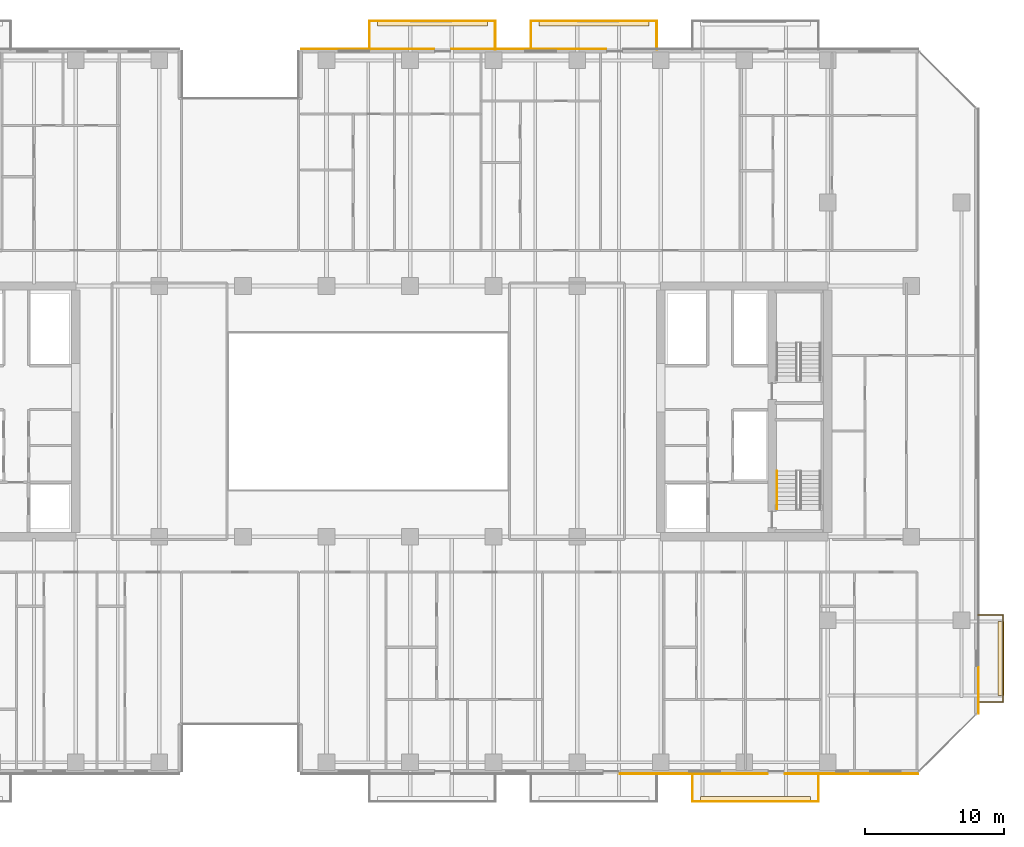
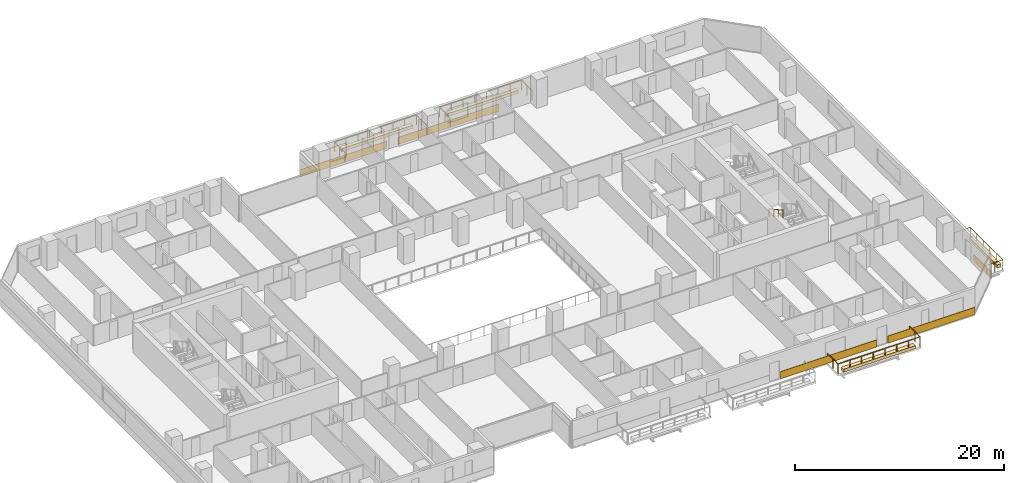
# One storey, part 30 of 33: 9 coverings, 5 railings.
"""IFC4 building model written with IfcOpenShell, lengths in metres."""

from ifc_helpers import new_model, si_unit, direction, frame, origin, origin_2d, place, context, subcontext, project, spatial, polyline, rectangle, outline, extrude, material, layer, layer_set, type_object, element, save


model = new_model("IFC4")

# Units and contexts
model_context = context("Model", 3, precision=1e-05, world=origin(), true_north=direction((0.0, 1.0)))
body_context = subcontext(model_context, "Body", "Model", "MODEL_VIEW")
ifc_project = project(units=[si_unit("LENGTHUNIT", "METRE"), si_unit("AREAUNIT", "SQUARE_METRE"), si_unit("VOLUMEUNIT", "CUBIC_METRE"), si_unit("PLANEANGLEUNIT", "RADIAN"), si_unit("MASSUNIT", "GRAM", prefix="KILO")], contexts=[model_context])

# Site, building, storey
site_placement = place(None, origin())
site = spatial("IfcSite", under=ifc_project, at=site_placement, CompositionType="ELEMENT")
building_placement = place(site_placement, origin())
building = spatial("IfcBuilding", under=site, at=building_placement, Name="Tanjung Sevakor Pilgrim Tower", CompositionType="ELEMENT")
storey_placement = place(building_placement, frame((0.0, 0.0, 38.93994140625)))
storey = spatial("IfcBuildingStorey", under=building, at=storey_placement, Name="L10", CompositionType="ELEMENT", Elevation=38.93994140625)

# Coverings
ifc_material_1 = material(Name="Reconstructed Limestone Cladding", Category="masonry")
ifc_layer_1 = layer(ifc_material_1, 0.044921875)
ifc_layer_set_1 = layer_set([ifc_layer_1], Name="COV-CLAD-LIMESTONE")
covering_type_1 = type_object("IfcCoveringType", Name="COV-CLAD-LIMESTONE", PredefinedType="CLADDING", material=ifc_layer_set_1)
covering_1_placement = place(storey_placement, frame((80.375, 7.577392578125, 0.01025390625), z_axis=(0.0, 0.0, 1.0), x_axis=(1.0, 0.0, 0.0)))
element("IfcCovering", 1, at=covering_1_placement, inside=storey, type_object=covering_type_1, Name="L10 Warm Limestone Sill Spandrel EW-L10-MAIN-5-3", PredefinedType="CLADDING", context=body_context, shape_type="SweptSolid", body=[
    extrude(rectangle(XDim=10.6298828125, YDim=0.044921875, at=origin_2d()), origin(), (0.0, 0.0, 1.0), 0.840087890625),
])
covering_2_placement = place(storey_placement, frame((91.7060546875, 7.577392578125, 0.01025390625), z_axis=(0.0, 0.0, 1.0), x_axis=(1.0, 0.0, 0.0)))
element("IfcCovering", 2, at=covering_2_placement, inside=storey, type_object=covering_type_1, Name="L10 Warm Limestone Sill Spandrel EW-L10-MAIN-5-4", PredefinedType="CLADDING", context=body_context, shape_type="SweptSolid", body=[
    extrude(rectangle(XDim=9.592041015625, YDim=0.044921875, at=origin_2d()), origin(), (0.0, 0.0, 1.0), 0.840087890625),
])
covering_3_placement = place(storey_placement, frame((100.822509765625, 13.569091796875, 0.01025390625), z_axis=(0.0, 0.0, 1.0), x_axis=(0.0, 1.0, 0.0)))
element("IfcCovering", 3, at=covering_3_placement, inside=storey, type_object=covering_type_1, Name="L10 Warm Limestone Sill Spandrel EW-L10-MAIN-7-1", PredefinedType="CLADDING", context=body_context, shape_type="SweptSolid", body=[
    extrude(rectangle(XDim=3.342041015625, YDim=0.044921875, at=origin_2d()), origin(), (0.0, 0.0, 1.0), 0.840087890625),
])
covering_4_placement = place(storey_placement, frame((68.52490234375, 59.62255859375, 0.01025390625), z_axis=(0.0, 0.0, 1.0), x_axis=(-1.0, 0.0, 0.0)))
element("IfcCovering", 4, at=covering_4_placement, inside=storey, type_object=covering_type_1, Name="L10 Warm Limestone Sill Spandrel EW-L10-MAIN-9-3", PredefinedType="CLADDING", context=body_context, shape_type="SweptSolid", body=[
    extrude(rectangle(XDim=11.1298828125, YDim=0.044921875, at=origin_2d()), origin(), (0.0, 0.0, 1.0), 0.840087890625),
])
covering_5_placement = place(storey_placement, frame((56.9599609375, 59.62255859375, 0.01025390625), z_axis=(0.0, 0.0, 1.0), x_axis=(-1.0, 0.0, 0.0)))
element("IfcCovering", 5, at=covering_5_placement, inside=storey, type_object=covering_type_1, Name="L10 Warm Limestone Sill Spandrel EW-L10-MAIN-9-4", PredefinedType="CLADDING", context=body_context, shape_type="SweptSolid", body=[
    extrude(rectangle(XDim=9.56005859375, YDim=0.044921875, at=origin_2d()), origin(), (0.0, 0.0, 1.0), 0.840087890625),
])
ifc_material_2 = material(Name="Vegetated Modular Planter Assembly", Category="organic")
ifc_layer_2 = layer(ifc_material_2, 0.35009765625)
ifc_layer_set_2 = layer_set([ifc_layer_2], Name="COV-GRN-TROUGH")
covering_type_2 = type_object("IfcCoveringType", Name="COV-GRN-TROUGH", PredefinedType="CLADDING", material=ifc_layer_set_2)
covering_6_placement = place(storey_placement, origin())
element("IfcCovering", 6, at=covering_6_placement, inside=storey, type_object=covering_type_2, Name="L10 Planted Landscape Hedge Trough BGRN-L10-MAIN-N2", PredefinedType="CLADDING", context=body_context, shape_type="SweptSolid", body=[
    extrude(outline(polyline([(57.64990234375, 61.260009765625), (65.550048828125, 61.260009765625), (65.550048828125, 61.699951171875), (57.64990234375, 61.699951171875), (57.64990234375, 61.260009765625)])), origin(), (0.0, 0.0, 1.0), 0.35009765625),
])
covering_7_placement = place(storey_placement, origin())
element("IfcCovering", 7, at=covering_7_placement, inside=storey, type_object=covering_type_2, Name="L10 Planted Landscape Hedge Trough BGRN-L10-MAIN-N3", PredefinedType="CLADDING", context=body_context, shape_type="SweptSolid", body=[
    extrude(outline(polyline([(69.25, 61.260009765625), (77.14990234375, 61.260009765625), (77.14990234375, 61.699951171875), (69.25, 61.699951171875), (69.25, 61.260009765625)])), origin(), (0.0, 0.0, 1.0), 0.35009765625),
])
covering_8_placement = place(storey_placement, origin())
element("IfcCovering", 8, at=covering_8_placement, inside=storey, type_object=covering_type_2, Name="L10 Planted Landscape Hedge Trough BGRN-L10-MAIN-S4", PredefinedType="CLADDING", context=body_context, shape_type="SweptSolid", body=[
    extrude(outline(polyline([(80.85009765625, 5.5), (88.75, 5.5), (88.75, 5.93994140625), (80.85009765625, 5.93994140625), (80.85009765625, 5.5)])), origin(), (0.0, 0.0, 1.0), 0.35009765625),
])
covering_9_placement = place(storey_placement, origin())
element("IfcCovering", 9, at=covering_9_placement, inside=storey, type_object=covering_type_2, Name="L10 Planted Landscape Hedge Trough BGRN-L10-MAIN-E1", PredefinedType="CLADDING", context=body_context, shape_type="SweptSolid", body=[
    extrude(outline(polyline([(102.64990234375, 13.199951171875), (102.64990234375, 18.5), (102.2099609375, 18.5), (102.2099609375, 13.199951171875), (102.64990234375, 13.199951171875)])), origin(), (0.0, 0.0, 1.0), 0.35009765625),
])

# Railings
ifc_material_3 = material(Name="Laminated Glass and Aluminium", Category="aluminium")
railing_type_1 = type_object("IfcRailingType", Name="RL-BAL-BALUST", PredefinedType="BALUSTRADE", material=ifc_material_3)
railing_1_placement = place(storey_placement, frame((57.080078125, 59.60009765625, 0.0)))
element("IfcRailing", 10, at=railing_1_placement, inside=storey, type_object=railing_type_1, Name="L10 Loggia Balustrade MAIN-N2", PredefinedType="BALUSTRADE", context=body_context, shape_type="SweptSolid", body=[
    extrude(rectangle(XDim=0.0479, YDim=0.0479), frame((0.0, 0.0, 1.1259765625), z_axis=(0.0, 1.0, 0.0), x_axis=(-1.0, 0.0, 0.0)), (0.0, 0.0, 1.0), 2.02001953125),
    extrude(rectangle(XDim=0.0479, YDim=0.0479), frame((0.0, 2.02001953125, 1.1259765625), z_axis=(1.0, 0.0, 0.0), x_axis=(0.0, 1.0, 0.0)), (0.0, 0.0, 1.0), 9.0400390625),
    extrude(rectangle(XDim=0.0479, YDim=0.0479), frame((9.0400390625, 2.02001953125, 1.1259765625), z_axis=(0.0, -1.0, 0.0), x_axis=(1.0, 0.0, 0.0)), (0.0, 0.0, 1.0), 2.02001953125),
    extrude(rectangle(XDim=0.042, YDim=0.042), origin(), (0.0, 0.0, 1.0), 1.101806640625),
    extrude(rectangle(XDim=0.042, YDim=0.042), frame((0.0, 1.010009765625, 0.0)), (0.0, 0.0, 1.0), 1.101806640625),
    extrude(rectangle(XDim=0.042, YDim=0.042), frame((0.0, 2.02001953125, 0.0)), (0.0, 0.0, 1.0), 1.101806640625),
    extrude(rectangle(XDim=0.042, YDim=0.042), frame((1.29150390625, 2.02001953125, 0.0)), (0.0, 0.0, 1.0), 1.101806640625),
    extrude(rectangle(XDim=0.042, YDim=0.042), frame((2.582763671875, 2.02001953125, 0.0)), (0.0, 0.0, 1.0), 1.101806640625),
    extrude(rectangle(XDim=0.042, YDim=0.042), frame((3.874267578125, 2.02001953125, 0.0)), (0.0, 0.0, 1.0), 1.101806640625),
    extrude(rectangle(XDim=0.042, YDim=0.042), frame((5.165771484375, 2.02001953125, 0.0)), (0.0, 0.0, 1.0), 1.101806640625),
    extrude(rectangle(XDim=0.042, YDim=0.042), frame((6.457275390625, 2.02001953125, 0.0)), (0.0, 0.0, 1.0), 1.101806640625),
    extrude(rectangle(XDim=0.042, YDim=0.042), frame((7.74853515625, 2.02001953125, 0.0)), (0.0, 0.0, 1.0), 1.101806640625),
    extrude(rectangle(XDim=0.042, YDim=0.042), frame((9.0400390625, 2.02001953125, 0.0)), (0.0, 0.0, 1.0), 1.101806640625),
    extrude(rectangle(XDim=0.042, YDim=0.042), frame((9.0400390625, 1.010009765625, 0.0)), (0.0, 0.0, 1.0), 1.101806640625),
    extrude(rectangle(XDim=0.042, YDim=0.042), frame((9.0400390625, 0.0, 0.0)), (0.0, 0.0, 1.0), 1.101806640625),
])
railing_2_placement = place(storey_placement, frame((68.679931640625, 59.60009765625, 0.0)))
element("IfcRailing", 11, at=railing_2_placement, inside=storey, type_object=railing_type_1, Name="L10 Loggia Balustrade MAIN-N3", PredefinedType="BALUSTRADE", context=body_context, shape_type="SweptSolid", body=[
    extrude(rectangle(XDim=0.0479, YDim=0.0479), frame((0.0, 0.0, 1.1259765625), z_axis=(0.0, 1.0, 0.0), x_axis=(-1.0, 0.0, 0.0)), (0.0, 0.0, 1.0), 2.02001953125),
    extrude(rectangle(XDim=0.0479, YDim=0.0479), frame((0.0, 2.02001953125, 1.1259765625), z_axis=(1.0, 0.0, 0.0), x_axis=(0.0, 1.0, 0.0)), (0.0, 0.0, 1.0), 9.0400390625),
    extrude(rectangle(XDim=0.0479, YDim=0.0479), frame((9.0400390625, 2.02001953125, 1.1259765625), z_axis=(0.0, -1.0, 0.0), x_axis=(1.0, 0.0, 0.0)), (0.0, 0.0, 1.0), 2.02001953125),
    extrude(rectangle(XDim=0.042, YDim=0.042), origin(), (0.0, 0.0, 1.0), 1.101806640625),
    extrude(rectangle(XDim=0.042, YDim=0.042), frame((0.0, 1.010009765625, 0.0)), (0.0, 0.0, 1.0), 1.101806640625),
    extrude(rectangle(XDim=0.042, YDim=0.042), frame((0.0, 2.02001953125, 0.0)), (0.0, 0.0, 1.0), 1.101806640625),
    extrude(rectangle(XDim=0.042, YDim=0.042), frame((1.29150390625, 2.02001953125, 0.0)), (0.0, 0.0, 1.0), 1.101806640625),
    extrude(rectangle(XDim=0.042, YDim=0.042), frame((2.582763671875, 2.02001953125, 0.0)), (0.0, 0.0, 1.0), 1.101806640625),
    extrude(rectangle(XDim=0.042, YDim=0.042), frame((3.874267578125, 2.02001953125, 0.0)), (0.0, 0.0, 1.0), 1.101806640625),
    extrude(rectangle(XDim=0.042, YDim=0.042), frame((5.165771484375, 2.02001953125, 0.0)), (0.0, 0.0, 1.0), 1.101806640625),
    extrude(rectangle(XDim=0.042, YDim=0.042), frame((6.457275390625, 2.02001953125, 0.0)), (0.0, 0.0, 1.0), 1.101806640625),
    extrude(rectangle(XDim=0.042, YDim=0.042), frame((7.74853515625, 2.02001953125, 0.0)), (0.0, 0.0, 1.0), 1.101806640625),
    extrude(rectangle(XDim=0.042, YDim=0.042), frame((9.0400390625, 2.02001953125, 0.0)), (0.0, 0.0, 1.0), 1.101806640625),
    extrude(rectangle(XDim=0.042, YDim=0.042), frame((9.0400390625, 1.010009765625, 0.0)), (0.0, 0.0, 1.0), 1.101806640625),
    extrude(rectangle(XDim=0.042, YDim=0.042), frame((9.0400390625, 0.0, 0.0)), (0.0, 0.0, 1.0), 1.101806640625),
])
railing_3_placement = place(storey_placement, frame((80.280029296875, 7.60009765625, 0.0)))
element("IfcRailing", 12, at=railing_3_placement, inside=storey, type_object=railing_type_1, Name="L10 Loggia Balustrade MAIN-S4", PredefinedType="BALUSTRADE", context=body_context, shape_type="SweptSolid", body=[
    extrude(rectangle(XDim=0.0479, YDim=0.0479), frame((0.0, 0.0, 1.1259765625), z_axis=(0.0, -1.0, 0.0), x_axis=(1.0, 0.0, 0.0)), (0.0, 0.0, 1.0), 2.02001953125),
    extrude(rectangle(XDim=0.0479, YDim=0.0479), frame((0.0, -2.02001953125, 1.1259765625), z_axis=(1.0, 0.0, 0.0), x_axis=(0.0, 1.0, 0.0)), (0.0, 0.0, 1.0), 9.0400390625),
    extrude(rectangle(XDim=0.0479, YDim=0.0479), frame((9.0400390625, -2.02001953125, 1.1259765625), z_axis=(0.0, 1.0, 0.0), x_axis=(-1.0, 0.0, 0.0)), (0.0, 0.0, 1.0), 2.02001953125),
    extrude(rectangle(XDim=0.042, YDim=0.042), origin(), (0.0, 0.0, 1.0), 1.101806640625),
    extrude(rectangle(XDim=0.042, YDim=0.042), frame((0.0, -1.010009765625, 0.0)), (0.0, 0.0, 1.0), 1.101806640625),
    extrude(rectangle(XDim=0.042, YDim=0.042), frame((0.0, -2.02001953125, 0.0)), (0.0, 0.0, 1.0), 1.101806640625),
    extrude(rectangle(XDim=0.042, YDim=0.042), frame((1.29150390625, -2.02001953125, 0.0)), (0.0, 0.0, 1.0), 1.101806640625),
    extrude(rectangle(XDim=0.042, YDim=0.042), frame((2.582763671875, -2.02001953125, 0.0)), (0.0, 0.0, 1.0), 1.101806640625),
    extrude(rectangle(XDim=0.042, YDim=0.042), frame((3.874267578125, -2.02001953125, 0.0)), (0.0, 0.0, 1.0), 1.101806640625),
    extrude(rectangle(XDim=0.042, YDim=0.042), frame((5.165771484375, -2.02001953125, 0.0)), (0.0, 0.0, 1.0), 1.101806640625),
    extrude(rectangle(XDim=0.042, YDim=0.042), frame((6.457275390625, -2.02001953125, 0.0)), (0.0, 0.0, 1.0), 1.101806640625),
    extrude(rectangle(XDim=0.042, YDim=0.042), frame((7.74853515625, -2.02001953125, 0.0)), (0.0, 0.0, 1.0), 1.101806640625),
    extrude(rectangle(XDim=0.042, YDim=0.042), frame((9.0400390625, -2.02001953125, 0.0)), (0.0, 0.0, 1.0), 1.101806640625),
    extrude(rectangle(XDim=0.042, YDim=0.042), frame((9.0400390625, -1.010009765625, 0.0)), (0.0, 0.0, 1.0), 1.101806640625),
    extrude(rectangle(XDim=0.042, YDim=0.042), frame((9.0400390625, 0.0, 0.0)), (0.0, 0.0, 1.0), 1.101806640625),
])
railing_4_placement = place(storey_placement, frame((100.800048828125, 12.72998046875, 0.0)))
element("IfcRailing", 13, at=railing_4_placement, inside=storey, type_object=railing_type_1, Name="L10 Loggia Balustrade MAIN-E1", PredefinedType="BALUSTRADE", context=body_context, shape_type="SweptSolid", body=[
    extrude(rectangle(XDim=0.0479, YDim=0.0479), frame((0.0, 0.0, 1.1259765625), z_axis=(1.0, 0.0, 0.0), x_axis=(0.0, 1.0, 0.0)), (0.0, 0.0, 1.0), 1.77001953125),
    extrude(rectangle(XDim=0.0479, YDim=0.0479), frame((1.77001953125, 0.0, 1.1259765625), z_axis=(0.0, 1.0, 0.0), x_axis=(-1.0, 0.0, 0.0)), (0.0, 0.0, 1.0), 6.239990234375),
    extrude(rectangle(XDim=0.0479, YDim=0.0479), frame((1.77001953125, 6.239990234375, 1.1259765625), z_axis=(-1.0, 0.0, 0.0), x_axis=(0.0, -1.0, 0.0)), (0.0, 0.0, 1.0), 1.77001953125),
    extrude(rectangle(XDim=0.042, YDim=0.042), origin(), (0.0, 0.0, 1.0), 1.101806640625),
    extrude(rectangle(XDim=0.042, YDim=0.042), frame((0.885009765625, 0.0, 0.0)), (0.0, 0.0, 1.0), 1.101806640625),
    extrude(rectangle(XDim=0.042, YDim=0.042), frame((1.77001953125, 0.0, 0.0)), (0.0, 0.0, 1.0), 1.101806640625),
    extrude(rectangle(XDim=0.042, YDim=0.042), frame((1.77001953125, 1.248046875, 0.0)), (0.0, 0.0, 1.0), 1.101806640625),
    extrude(rectangle(XDim=0.042, YDim=0.042), frame((1.77001953125, 2.49609375, 0.0)), (0.0, 0.0, 1.0), 1.101806640625),
    extrude(rectangle(XDim=0.042, YDim=0.042), frame((1.77001953125, 3.743896484375, 0.0)), (0.0, 0.0, 1.0), 1.101806640625),
    extrude(rectangle(XDim=0.042, YDim=0.042), frame((1.77001953125, 4.991943359375, 0.0)), (0.0, 0.0, 1.0), 1.101806640625),
    extrude(rectangle(XDim=0.042, YDim=0.042), frame((1.77001953125, 6.239990234375, 0.0)), (0.0, 0.0, 1.0), 1.101806640625),
    extrude(rectangle(XDim=0.042, YDim=0.042), frame((0.885009765625, 6.239990234375, 0.0)), (0.0, 0.0, 1.0), 1.101806640625),
    extrude(rectangle(XDim=0.042, YDim=0.042), frame((0.0, 6.239990234375, 0.0)), (0.0, 0.0, 1.0), 1.101806640625),
])
ifc_material_4 = material(Name="Steel S355J2", Category="steel")
railing_type_2 = type_object("IfcRailingType", Name="RL-STAIR-HAND", PredefinedType="HANDRAIL", material=ifc_material_4)
railing_5_placement = place(storey_placement, frame((86.35009765625, 29.300048828125, 1.81494140625)))
element("IfcRailing", 14, at=railing_5_placement, inside=storey, type_object=railing_type_2, Name="L10 TS-E1 stair handrail 2", PredefinedType="HANDRAIL", context=body_context, shape_type="SweptSolid", body=[
    extrude(rectangle(XDim=0.0479, YDim=0.0479), frame((0.0, 0.0, 0.8759765625), z_axis=(0.0, -0.876197507361, 0.481952205197), x_axis=(1.0, 0.0, 0.0)), (0.0, 0.0, 1.0), 3.08154296875),
    extrude(rectangle(XDim=0.042, YDim=0.042), origin(), (0.0, 0.0, 1.0), 0.851806640625),
    extrude(rectangle(XDim=0.042, YDim=0.042), frame((0.0, -0.89990234375, 0.4951171875)), (0.0, 0.0, 1.0), 0.851806640625),
    extrude(rectangle(XDim=0.042, YDim=0.042), frame((0.0, -1.800048828125, 0.989990234375)), (0.0, 0.0, 1.0), 0.851806640625),
    extrude(rectangle(XDim=0.042, YDim=0.042), frame((0.0, -2.699951171875, 1.485107421875)), (0.0, 0.0, 1.0), 0.851806640625),
])

save(model, "model.ifc")
